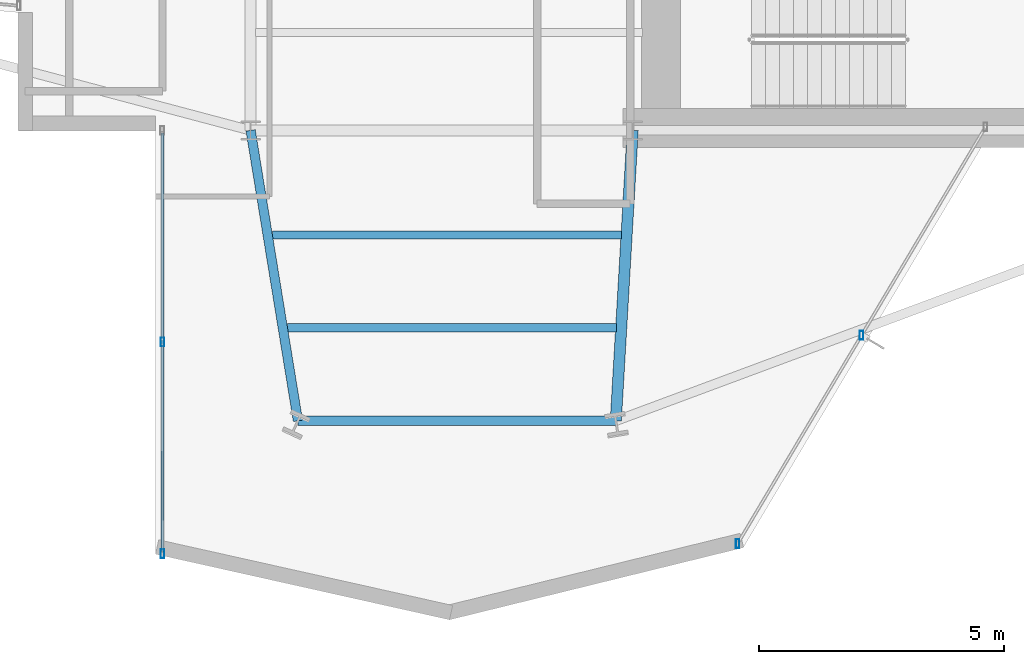
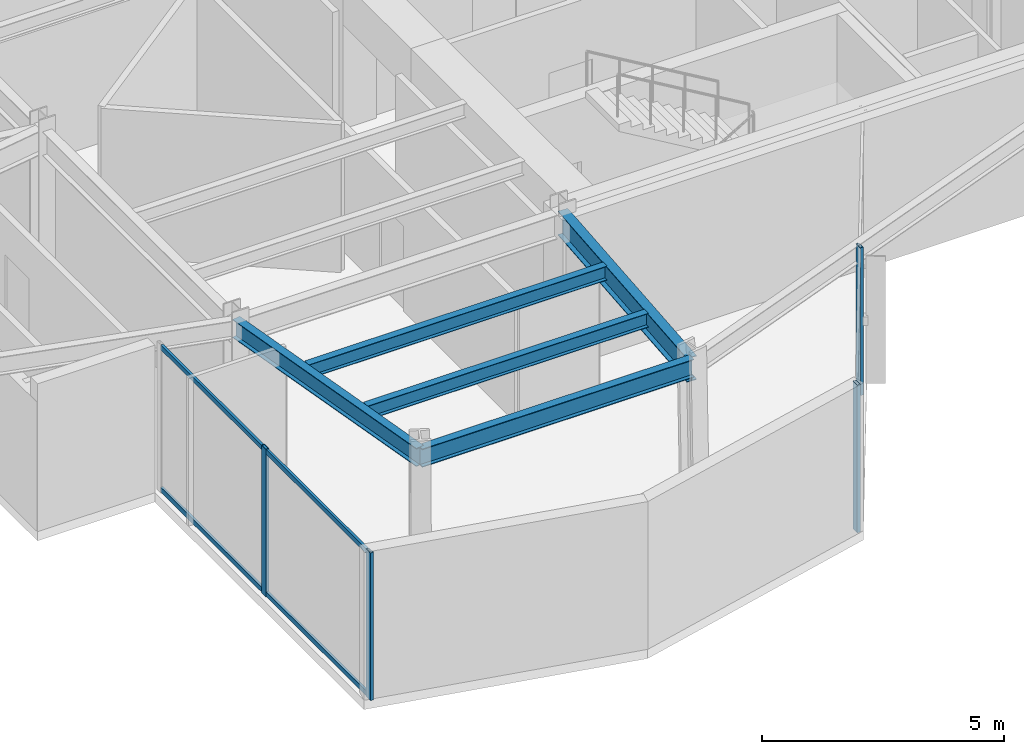
# One storey, part 6 of 23: 6 members, 5 beams, 2 elements without a shape of their own.
"""IFC4 building model written with IfcOpenShell, lengths in metres."""

from ifc_helpers import new_model, si_unit, direction, frame, origin, origin_2d, place, context, subcontext, project, spatial, hollow_rectangle, i_section, extrude, material, layer, layer_set, material_profile, profile_set, type_object, element, aggregate, save


model = new_model("IFC4")

# Units and contexts
model_context = context("Model", 3, precision=1e-05, world=origin(), true_north=direction((0.0, 1.0)))
body_context = subcontext(model_context, "Body", "Model", "MODEL_VIEW")
ifc_project = project(units=[si_unit("LENGTHUNIT", "METRE"), si_unit("AREAUNIT", "SQUARE_METRE"), si_unit("VOLUMEUNIT", "CUBIC_METRE"), si_unit("PLANEANGLEUNIT", "RADIAN"), si_unit("MASSUNIT", "GRAM", prefix="KILO")], contexts=[model_context])

# Site, building, storey
site_placement = place(None, origin())
site = spatial("IfcSite", under=ifc_project, at=site_placement, CompositionType="ELEMENT")
building_placement = place(site_placement, origin())
building = spatial("IfcBuilding", under=site, at=building_placement, Name="Veymaron Broadcast Tower", CompositionType="ELEMENT")
storey_placement = place(building_placement, frame((0.0, 0.0, 177.60009765625)))
storey = spatial("IfcBuildingStorey", under=building, at=storey_placement, Name="L41", CompositionType="ELEMENT", Elevation=177.60009765625)

# Beams
ifc_material_1 = material(Name="Structural steel ASTM A992 Gr 50", Category="steel")
ifc_material_profile_1 = material_profile(ifc_material_1, i_section(OverallWidth=0.22802734375, OverallDepth=0.60791015625, WebThickness=0.01123046875, FlangeThickness=0.017333984375, at=origin_2d()), Name="W610X113")
ifc_profile_set_1 = profile_set([ifc_material_profile_1], Name="Structural steel ASTM A992 Gr 50")
beam_type_1 = type_object("IfcBeamType", Name="BM-FG2", PredefinedType="BEAM", material=ifc_profile_set_1)
beam_1_placement = place(storey_placement, frame((39.0, 16.0, 3.42578125), z_axis=(-0.058076292343, -0.998312147711, 0.0), x_axis=(0.998312147711, -0.058076292343, 0.0)))
element("IfcBeam", 1, at=beam_1_placement, inside=storey, type_object=beam_type_1, Name="L41 primary structural floor girder", PredefinedType="BEAM", context=body_context, shape_type="SweptSolid", body=[
    extrude(i_section(OverallWidth=0.22802734375, OverallDepth=0.60791015625, WebThickness=0.01123046875, FlangeThickness=0.017333984375, at=origin_2d()), origin(), (0.0, 0.0, 1.0), 5.93994140625),
])
ifc_material_profile_2 = material_profile(ifc_material_1, i_section(OverallWidth=0.1708984375, OverallDepth=0.35498046875, WebThickness=0.007080078125, FlangeThickness=0.01171875, at=origin_2d()), Name="W360X51")
ifc_profile_set_2 = profile_set([ifc_material_profile_2], Name="Structural steel ASTM A992 Gr 50")
beam_type_2 = type_object("IfcBeamType", Name="BM-JS2", PredefinedType="JOIST", material=ifc_profile_set_2)
beam_2_placement = place(storey_placement, frame((31.647705078125, 13.865234375, 3.552490234375), z_axis=(1.0, 0.0, 0.0), x_axis=(0.0, 1.0, 0.0)))
element("IfcBeam", 2, at=beam_2_placement, inside=storey, type_object=beam_type_2, Name="L41 Arm-C secondary joist 1", PredefinedType="JOIST", context=body_context, shape_type="SweptSolid", body=[
    extrude(i_section(OverallWidth=0.1708984375, OverallDepth=0.35498046875, WebThickness=0.007080078125, FlangeThickness=0.01171875, at=origin_2d()), origin(), (0.0, 0.0, 1.0), 7.128173828125),
])
beam_3_placement = place(storey_placement, frame((31.956787109375, 11.967529296875, 3.552490234375), z_axis=(1.0, 0.0, 0.0), x_axis=(0.0, 1.0, 0.0)))
element("IfcBeam", 3, at=beam_3_placement, inside=storey, type_object=beam_type_2, Name="L41 Arm-C secondary joist 2", PredefinedType="JOIST", context=body_context, shape_type="SweptSolid", body=[
    extrude(i_section(OverallWidth=0.1708984375, OverallDepth=0.35498046875, WebThickness=0.007080078125, FlangeThickness=0.01171875, at=origin_2d()), origin(), (0.0, 0.0, 1.0), 6.70849609375),
])
ifc_material_profile_3 = material_profile(ifc_material_1, i_section(OverallWidth=0.19091796875, OverallDepth=0.4599609375, WebThickness=0.010009765625, FlangeThickness=0.01611328125, at=origin_2d()), Name="W460X82")
ifc_profile_set_3 = profile_set([ifc_material_profile_3], Name="Structural steel ASTM A992 Gr 50")
beam_type_3 = type_object("IfcBeamType", Name="BM-SP1", PredefinedType="SPANDREL", material=ifc_profile_set_3)
beam_4_placement = place(storey_placement, frame((31.199951171875, 16.0, 3.5), z_axis=(0.1607934387, -0.986988080005, 0.0), x_axis=(0.986988080005, 0.1607934387, 0.0)))
element("IfcBeam", 4, at=beam_4_placement, inside=storey, type_object=beam_type_3, Name="L41 primary structural floor girder", PredefinedType="SPANDREL", context=body_context, shape_type="SweptSolid", body=[
    extrude(i_section(OverallWidth=0.19091796875, OverallDepth=0.4599609375, WebThickness=0.010009765625, FlangeThickness=0.01611328125, at=origin_2d()), origin(), (0.0, 0.0, 1.0), 6.008056640625),
])
beam_5_placement = place(storey_placement, frame((32.166015625, 10.070068359375, 3.5), z_axis=(1.0, 0.0, 0.0), x_axis=(0.0, 1.0, 0.0)))
element("IfcBeam", 5, at=beam_5_placement, inside=storey, type_object=beam_type_3, Name="L41 primary structural floor girder", PredefinedType="SPANDREL", context=body_context, shape_type="SweptSolid", body=[
    extrude(i_section(OverallWidth=0.19091796875, OverallDepth=0.4599609375, WebThickness=0.010009765625, FlangeThickness=0.01611328125, at=origin_2d()), origin(), (0.0, 0.0, 1.0), 6.489013671875),
])

# Curtain wall, members
ifc_material_2 = material(Name="Anodised aluminium AA 6063-T6 and laminated low-E dark glass", Category="aluminium")
ifc_layer = layer(ifc_material_2, 0.179931640625)
ifc_layer_set = layer_set([ifc_layer], Name="Anodised aluminium AA 6063-T6 and laminated low-E dark glass")
curtain_wall_type = type_object("IfcCurtainWallType", Name="CW-SYS-03", PredefinedType="NOTDEFINED", material=ifc_layer_set)
curtain_wall_1_placement = place(storey_placement, origin())
curtain_wall_1 = element("IfcCurtainWall", 6, at=curtain_wall_1_placement, inside=storey, type_object=curtain_wall_type, Name="L41 dark-glass curtain wall CW-L41-E17-1", PredefinedType="NOTDEFINED")
ifc_material_3 = material(Name="Anodised aluminium AA 6063-T6", Category="aluminium")
ifc_material_profile_4 = material_profile(ifc_material_3, hollow_rectangle(XDim=0.074951171875, YDim=0.179931640625, WallThickness=0.0048828125, at=origin_2d()), Name="AL180X75X5")
ifc_profile_set_4 = profile_set([ifc_material_profile_4], Name="Anodised aluminium AA 6063-T6")
member_type_1 = type_object("IfcMemberType", Name="CW-MUL-02", PredefinedType="MULLION", material=ifc_profile_set_4)
member_1_placement = place(storey_placement, frame((29.398681640625, 11.67919921875, 0.0), z_axis=(0.0, 0.0, 1.0), x_axis=(1.0, 0.0, 0.0)))
member_1 = element("IfcMember", 7, at=member_1_placement, type_object=member_type_1, Name="CW-L41-E17-1 mullion 1", PredefinedType="MULLION", context=body_context, shape_type="SweptSolid", body=[
    extrude(hollow_rectangle(XDim=0.074951171875, YDim=0.179931640625, WallThickness=0.0048828125, at=origin_2d()), origin(), (0.0, 0.0, 1.0), 3.72998046875),
])
member_2_placement = place(storey_placement, frame((29.4013671875, 7.358154296875, 0.0), z_axis=(0.0, 0.0, 1.0), x_axis=(1.0, 0.0, 0.0)))
member_2 = element("IfcMember", 8, at=member_2_placement, type_object=member_type_1, Name="CW-L41-E17-1 mullion 2", PredefinedType="MULLION", context=body_context, shape_type="SweptSolid", body=[
    extrude(hollow_rectangle(XDim=0.074951171875, YDim=0.179931640625, WallThickness=0.0048828125, at=origin_2d()), origin(), (0.0, 0.0, 1.0), 3.72998046875),
])

curtain_wall_2_placement = place(storey_placement, origin())
curtain_wall_2 = element("IfcCurtainWall", 9, at=curtain_wall_2_placement, inside=storey, type_object=curtain_wall_type, Name="L41 dark-glass curtain wall CW-L41-E20-1", PredefinedType="NOTDEFINED")
member_3_placement = place(storey_placement, frame((41.142333984375, 7.563720703125, 0.0), z_axis=(0.0, 0.0, 1.0), x_axis=(1.0, 0.0, 0.0)))
member_3 = element("IfcMember", 10, at=member_3_placement, type_object=member_type_1, Name="CW-L41-E20-1 mullion 0", PredefinedType="MULLION", context=body_context, shape_type="SweptSolid", body=[
    extrude(hollow_rectangle(XDim=0.074951171875, YDim=0.179931640625, WallThickness=0.0048828125, at=origin_2d()), origin(), (0.0, 0.0, 1.0), 3.72998046875),
])
member_4_placement = place(storey_placement, frame((43.673095703125, 11.817626953125, 0.0), z_axis=(0.0, 0.0, 1.0), x_axis=(1.0, 0.0, 0.0)))
member_4 = element("IfcMember", 11, at=member_4_placement, type_object=member_type_1, Name="CW-L41-E20-1 mullion 1", PredefinedType="MULLION", context=body_context, shape_type="SweptSolid", body=[
    extrude(hollow_rectangle(XDim=0.074951171875, YDim=0.179931640625, WallThickness=0.0048828125, at=origin_2d()), origin(), (0.0, 0.0, 1.0), 3.72998046875),
])
aggregate(curtain_wall_2, [member_3, member_4])

# Member
ifc_material_profile_5 = material_profile(ifc_material_3, hollow_rectangle(XDim=0.06005859375, YDim=0.1201171875, WallThickness=0.00390625, at=origin_2d()), Name="AL120X60X4")
ifc_profile_set_5 = profile_set([ifc_material_profile_5], Name="Anodised aluminium AA 6063-T6")
member_type_2 = type_object("IfcMemberType", Name="CW-TRN-02", PredefinedType="USERDEFINED", material=ifc_profile_set_5)
member_5_placement = place(storey_placement, frame((29.396484375, 15.9501953125, 0.06982421875), z_axis=(0.000571624464, -0.999999836623, 0.0), x_axis=(0.999999836623, 0.000571624464, 0.0)))
member_5 = element("IfcMember", 12, at=member_5_placement, type_object=member_type_2, Name="CW-L41-E17-1 transom B", ObjectType="TRANSOM", PredefinedType="USERDEFINED", context=body_context, shape_type="SweptSolid", body=[
    extrude(hollow_rectangle(XDim=0.06005859375, YDim=0.1201171875, WallThickness=0.00390625, at=origin_2d()), origin(), (0.0, 0.0, 1.0), 8.5419921875),
])

member_6_placement = place(storey_placement, frame((29.396484375, 15.9501953125, 3.659912109375), z_axis=(0.000571624464, -0.999999836623, 0.0), x_axis=(0.999999836623, 0.000571624464, 0.0)))
member_6 = element("IfcMember", 13, at=member_6_placement, type_object=member_type_2, Name="CW-L41-E17-1 transom T", ObjectType="TRANSOM", PredefinedType="USERDEFINED", context=body_context, shape_type="SweptSolid", body=[
    extrude(hollow_rectangle(XDim=0.06005859375, YDim=0.1201171875, WallThickness=0.00390625, at=origin_2d()), origin(), (0.0, 0.0, 1.0), 8.5419921875),
])

aggregate(curtain_wall_1, [member_1, member_2, member_5, member_6])

save(model, "model.ifc")
